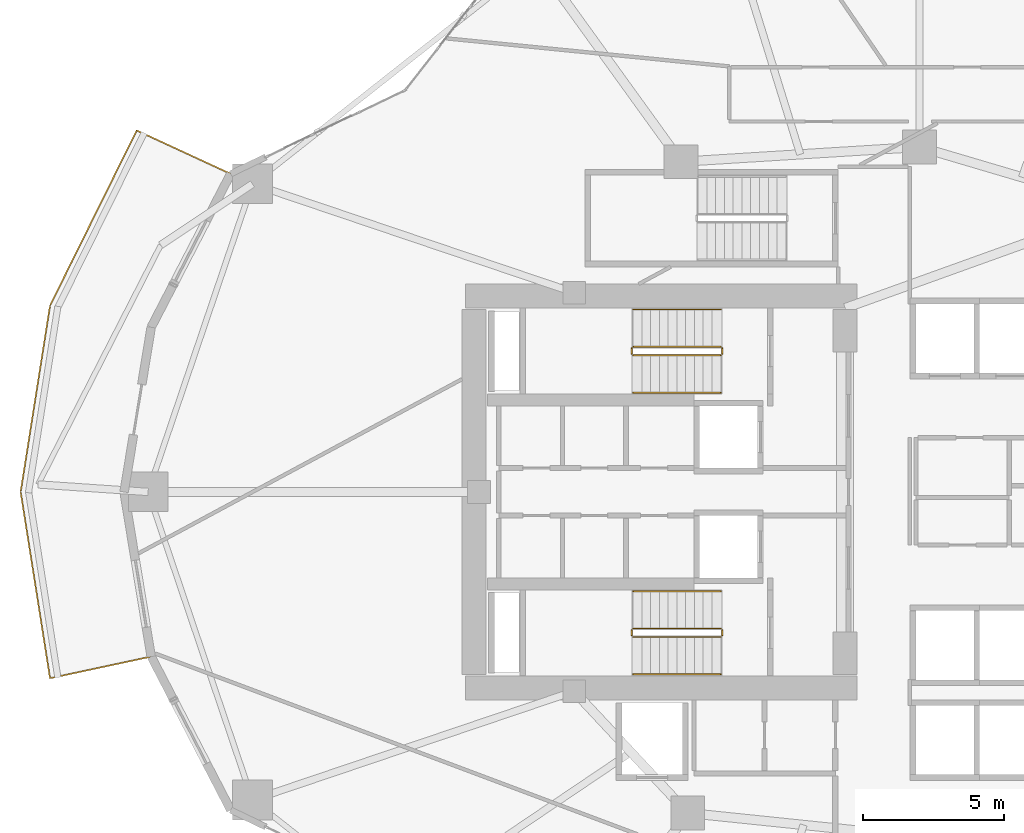
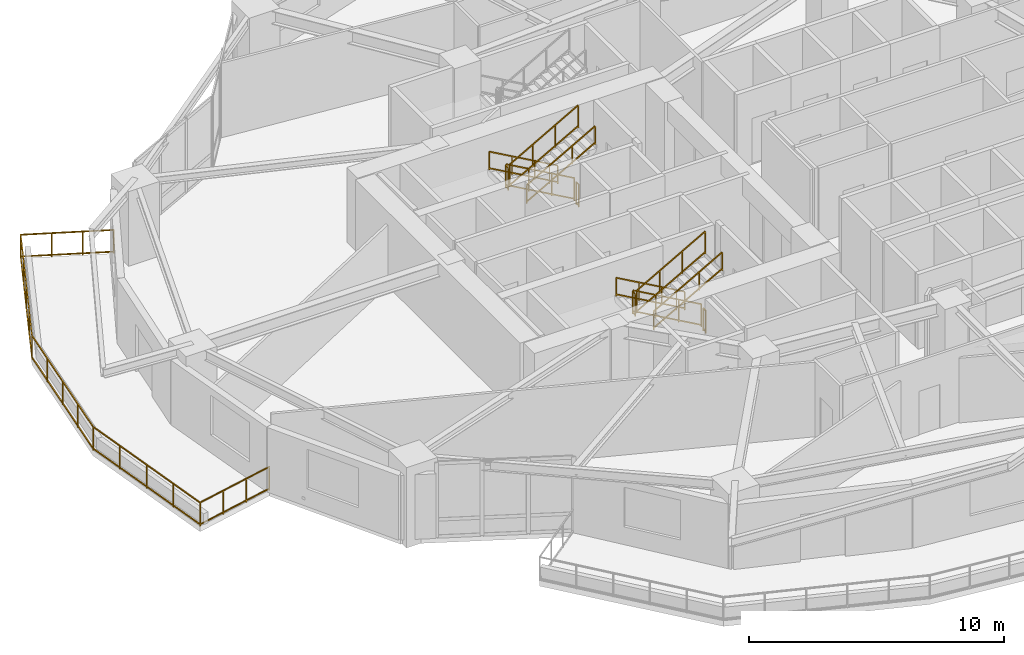
# One storey, part 16 of 19: 13 railings.
"""IFC4 building model written with IfcOpenShell, lengths in metres."""

from ifc_helpers import new_model, si_unit, direction, frame, origin, origin_2d, place, context, subcontext, project, spatial, rectangle, extrude, material, type_object, element, save


model = new_model("IFC4")

# Units and contexts
model_context = context("Model", 3, precision=1e-05, world=origin(), true_north=direction((0.0, 1.0)))
body_context = subcontext(model_context, "Body", "Model", "MODEL_VIEW")
ifc_project = project(units=[si_unit("LENGTHUNIT", "METRE"), si_unit("AREAUNIT", "SQUARE_METRE"), si_unit("VOLUMEUNIT", "CUBIC_METRE"), si_unit("PLANEANGLEUNIT", "RADIAN"), si_unit("MASSUNIT", "GRAM", prefix="KILO")], contexts=[model_context])

# Site, building, storey
site_placement = place(None, origin())
site = spatial("IfcSite", under=ifc_project, at=site_placement, CompositionType="ELEMENT")
building_placement = place(site_placement, origin())
building = spatial("IfcBuilding", under=site, at=building_placement, Name="Kolvaren Gate Tower and Convention Centre", CompositionType="ELEMENT")
storey_placement = place(building_placement, frame((0.0, 0.0, 38.050048828125)))
storey = spatial("IfcBuildingStorey", under=building, at=storey_placement, Name="L08", CompositionType="ELEMENT", Elevation=38.050048828125)

# Railings
ifc_material = material(Name="Brushed Stainless Steel Grade 316L", Category="steel")
railing_type_1 = type_object("IfcRailingType", Name="ARCH-RL-GUARD-1150", PredefinedType="GUARDRAIL", material=ifc_material)
railing_1_placement = place(storey_placement, frame((23.10009765625, 32.1298828125, 0.175048828125)))
element("IfcRailing", 1, at=railing_1_placement, inside=storey, type_object=railing_type_1, Name="L08 ST-T1 stair guard 1", PredefinedType="GUARDRAIL", context=body_context, shape_type="SweptSolid", body=[
    extrude(rectangle(XDim=0.048095703125, YDim=0.048095703125, at=origin_2d()), frame((0.0, 0.0, 1.076171875), z_axis=(-0.870830938388, 0.0, 0.491582624537), x_axis=(0.0, -1.0, 0.0)), (0.0, 0.0, 1.0), 3.559814453125),
    extrude(rectangle(XDim=0.048095703125, YDim=0.048095703125, at=origin_2d()), frame((0.0, 0.0, 0.083984375), z_axis=(-0.870830938388, 0.0, 0.491582624537), x_axis=(0.0, -1.0, 0.0)), (0.0, 0.0, 1.0), 3.559814453125),
    extrude(rectangle(XDim=0.0419921875, YDim=0.0419921875, at=origin_2d()), origin(), (0.0, 0.0, 1.0), 1.050048828125),
    extrude(rectangle(XDim=0.0419921875, YDim=0.0419921875, at=origin_2d()), frame((-3.10009765625, 0.0, 1.75)), (0.0, 0.0, 1.0), 1.050048828125),
    extrude(rectangle(XDim=0.0419921875, YDim=0.0419921875, at=origin_2d()), frame((-1.033447265625, 0.0, 0.583251953125)), (0.0, 0.0, 1.0), 1.050048828125),
    extrude(rectangle(XDim=0.0419921875, YDim=0.0419921875, at=origin_2d()), frame((-2.066650390625, 0.0, 1.166748046875)), (0.0, 0.0, 1.0), 1.050048828125),
])
railing_2_placement = place(storey_placement, frame((19.949951171875, 32.080078125, 1.925048828125)))
element("IfcRailing", 2, at=railing_2_placement, inside=storey, type_object=railing_type_1, Name="L08 ST-T1 stair guard 2", PredefinedType="GUARDRAIL", context=body_context, shape_type="SweptSolid", body=[
    extrude(rectangle(XDim=0.048095703125, YDim=0.048095703125, at=origin_2d()), frame((0.0, 0.0, 1.076171875), z_axis=(0.0, -1.0, 0.0), x_axis=(1.0, 0.0, 0.0)), (0.0, 0.0, 1.0), 0.2001953125),
    extrude(rectangle(XDim=0.048095703125, YDim=0.048095703125, at=origin_2d()), frame((0.0, 0.0, 0.083984375), z_axis=(0.0, -1.0, 0.0), x_axis=(1.0, 0.0, 0.0)), (0.0, 0.0, 1.0), 0.2001953125),
    extrude(rectangle(XDim=0.0419921875, YDim=0.0419921875, at=origin_2d()), origin(), (0.0, 0.0, 1.0), 1.050048828125),
    extrude(rectangle(XDim=0.0419921875, YDim=0.0419921875, at=origin_2d()), frame((0.0, -0.2001953125, 0.0)), (0.0, 0.0, 1.0), 1.050048828125),
])
railing_3_placement = place(storey_placement, frame((20.0, 31.830078125, 2.099853515625)))
element("IfcRailing", 3, at=railing_3_placement, inside=storey, type_object=railing_type_1, Name="L08 ST-T1 stair guard 3", PredefinedType="GUARDRAIL", context=body_context, shape_type="SweptSolid", body=[
    extrude(rectangle(XDim=0.048095703125, YDim=0.048095703125, at=origin_2d()), frame((0.0, 0.0, 1.076171875), z_axis=(0.870830938388, 0.0, 0.491582624537), x_axis=(0.0, 1.0, 0.0)), (0.0, 0.0, 1.0), 3.559814453125),
    extrude(rectangle(XDim=0.048095703125, YDim=0.048095703125, at=origin_2d()), frame((0.0, 0.0, 0.083984375), z_axis=(0.870830938388, 0.0, 0.491582624537), x_axis=(0.0, 1.0, 0.0)), (0.0, 0.0, 1.0), 3.559814453125),
    extrude(rectangle(XDim=0.0419921875, YDim=0.0419921875, at=origin_2d()), origin(), (0.0, 0.0, 1.0), 1.050048828125),
    extrude(rectangle(XDim=0.0419921875, YDim=0.0419921875, at=origin_2d()), frame((3.10009765625, 0.0, 1.75)), (0.0, 0.0, 1.0), 1.050048828125),
    extrude(rectangle(XDim=0.0419921875, YDim=0.0419921875, at=origin_2d()), frame((1.033447265625, 0.0, 0.583251953125)), (0.0, 0.0, 1.0), 1.050048828125),
    extrude(rectangle(XDim=0.0419921875, YDim=0.0419921875, at=origin_2d()), frame((2.066650390625, 0.0, 1.166748046875)), (0.0, 0.0, 1.0), 1.050048828125),
])
railing_4_placement = place(storey_placement, frame((23.14990234375, 32.080078125, 0.0)))
element("IfcRailing", 4, at=railing_4_placement, inside=storey, type_object=railing_type_1, Name="L08 ST-T1 stair guard 4", PredefinedType="GUARDRAIL", context=body_context, shape_type="SweptSolid", body=[
    extrude(rectangle(XDim=0.048095703125, YDim=0.048095703125, at=origin_2d()), frame((0.0, 0.0, 1.076171875), z_axis=(0.0, -1.0, 0.0), x_axis=(1.0, 0.0, 0.0)), (0.0, 0.0, 1.0), 0.2001953125),
    extrude(rectangle(XDim=0.048095703125, YDim=0.048095703125, at=origin_2d()), frame((0.0, 0.0, 0.083984375), z_axis=(0.0, -1.0, 0.0), x_axis=(1.0, 0.0, 0.0)), (0.0, 0.0, 1.0), 0.2001953125),
    extrude(rectangle(XDim=0.0419921875, YDim=0.0419921875, at=origin_2d()), origin(), (0.0, 0.0, 1.0), 1.050048828125),
    extrude(rectangle(XDim=0.0419921875, YDim=0.0419921875, at=origin_2d()), frame((0.0, -0.2001953125, 0.0)), (0.0, 0.0, 1.0), 1.050048828125),
])
railing_5_placement = place(storey_placement, frame((23.10009765625, 22.169921875, 0.175048828125)))
element("IfcRailing", 5, at=railing_5_placement, inside=storey, type_object=railing_type_1, Name="L08 ST-T2 stair guard 1", PredefinedType="GUARDRAIL", context=body_context, shape_type="SweptSolid", body=[
    extrude(rectangle(XDim=0.048095703125, YDim=0.048095703125, at=origin_2d()), frame((0.0, 0.0, 1.076171875), z_axis=(-0.870830938388, 0.0, 0.491582624537), x_axis=(0.0, -1.0, 0.0)), (0.0, 0.0, 1.0), 3.559814453125),
    extrude(rectangle(XDim=0.048095703125, YDim=0.048095703125, at=origin_2d()), frame((0.0, 0.0, 0.083984375), z_axis=(-0.870830938388, 0.0, 0.491582624537), x_axis=(0.0, -1.0, 0.0)), (0.0, 0.0, 1.0), 3.559814453125),
    extrude(rectangle(XDim=0.0419921875, YDim=0.0419921875, at=origin_2d()), origin(), (0.0, 0.0, 1.0), 1.050048828125),
    extrude(rectangle(XDim=0.0419921875, YDim=0.0419921875, at=origin_2d()), frame((-3.10009765625, 0.0, 1.75)), (0.0, 0.0, 1.0), 1.050048828125),
    extrude(rectangle(XDim=0.0419921875, YDim=0.0419921875, at=origin_2d()), frame((-1.033447265625, 0.0, 0.583251953125)), (0.0, 0.0, 1.0), 1.050048828125),
    extrude(rectangle(XDim=0.0419921875, YDim=0.0419921875, at=origin_2d()), frame((-2.066650390625, 0.0, 1.166748046875)), (0.0, 0.0, 1.0), 1.050048828125),
])
railing_6_placement = place(storey_placement, frame((19.949951171875, 22.1201171875, 1.925048828125)))
element("IfcRailing", 6, at=railing_6_placement, inside=storey, type_object=railing_type_1, Name="L08 ST-T2 stair guard 2", PredefinedType="GUARDRAIL", context=body_context, shape_type="SweptSolid", body=[
    extrude(rectangle(XDim=0.048095703125, YDim=0.048095703125, at=origin_2d()), frame((0.0, 0.0, 1.076171875), z_axis=(0.0, -1.0, 0.0), x_axis=(1.0, 0.0, 0.0)), (0.0, 0.0, 1.0), 0.2001953125),
    extrude(rectangle(XDim=0.048095703125, YDim=0.048095703125, at=origin_2d()), frame((0.0, 0.0, 0.083984375), z_axis=(0.0, -1.0, 0.0), x_axis=(1.0, 0.0, 0.0)), (0.0, 0.0, 1.0), 0.2001953125),
    extrude(rectangle(XDim=0.0419921875, YDim=0.0419921875, at=origin_2d()), origin(), (0.0, 0.0, 1.0), 1.050048828125),
    extrude(rectangle(XDim=0.0419921875, YDim=0.0419921875, at=origin_2d()), frame((0.0, -0.2001953125, 0.0)), (0.0, 0.0, 1.0), 1.050048828125),
])
railing_7_placement = place(storey_placement, frame((20.0, 21.8701171875, 2.099853515625)))
element("IfcRailing", 7, at=railing_7_placement, inside=storey, type_object=railing_type_1, Name="L08 ST-T2 stair guard 3", PredefinedType="GUARDRAIL", context=body_context, shape_type="SweptSolid", body=[
    extrude(rectangle(XDim=0.048095703125, YDim=0.048095703125, at=origin_2d()), frame((0.0, 0.0, 1.076171875), z_axis=(0.870830938388, 0.0, 0.491582624537), x_axis=(0.0, 1.0, 0.0)), (0.0, 0.0, 1.0), 3.559814453125),
    extrude(rectangle(XDim=0.048095703125, YDim=0.048095703125, at=origin_2d()), frame((0.0, 0.0, 0.083984375), z_axis=(0.870830938388, 0.0, 0.491582624537), x_axis=(0.0, 1.0, 0.0)), (0.0, 0.0, 1.0), 3.559814453125),
    extrude(rectangle(XDim=0.0419921875, YDim=0.0419921875, at=origin_2d()), origin(), (0.0, 0.0, 1.0), 1.050048828125),
    extrude(rectangle(XDim=0.0419921875, YDim=0.0419921875, at=origin_2d()), frame((3.10009765625, 0.0, 1.75)), (0.0, 0.0, 1.0), 1.050048828125),
    extrude(rectangle(XDim=0.0419921875, YDim=0.0419921875, at=origin_2d()), frame((1.033447265625, 0.0, 0.583251953125)), (0.0, 0.0, 1.0), 1.050048828125),
    extrude(rectangle(XDim=0.0419921875, YDim=0.0419921875, at=origin_2d()), frame((2.066650390625, 0.0, 1.166748046875)), (0.0, 0.0, 1.0), 1.050048828125),
])
railing_8_placement = place(storey_placement, frame((23.14990234375, 22.1201171875, 0.0)))
element("IfcRailing", 8, at=railing_8_placement, inside=storey, type_object=railing_type_1, Name="L08 ST-T2 stair guard 4", PredefinedType="GUARDRAIL", context=body_context, shape_type="SweptSolid", body=[
    extrude(rectangle(XDim=0.048095703125, YDim=0.048095703125, at=origin_2d()), frame((0.0, 0.0, 1.076171875), z_axis=(0.0, -1.0, 0.0), x_axis=(1.0, 0.0, 0.0)), (0.0, 0.0, 1.0), 0.2001953125),
    extrude(rectangle(XDim=0.048095703125, YDim=0.048095703125, at=origin_2d()), frame((0.0, 0.0, 0.083984375), z_axis=(0.0, -1.0, 0.0), x_axis=(1.0, 0.0, 0.0)), (0.0, 0.0, 1.0), 0.2001953125),
    extrude(rectangle(XDim=0.0419921875, YDim=0.0419921875, at=origin_2d()), origin(), (0.0, 0.0, 1.0), 1.050048828125),
    extrude(rectangle(XDim=0.0419921875, YDim=0.0419921875, at=origin_2d()), frame((0.0, -0.2001953125, 0.0)), (0.0, 0.0, 1.0), 1.050048828125),
])
railing_9_placement = place(storey_placement, frame((5.76806640625, 38.25, 0.0)))
element("IfcRailing", 9, at=railing_9_placement, inside=storey, type_object=railing_type_1, Name="Tower L08 Terrace Perimeter Guardrail GR-2", PredefinedType="GUARDRAIL", context=body_context, shape_type="SweptSolid", body=[
    extrude(rectangle(XDim=0.048095703125, YDim=0.048095703125, at=origin_2d()), frame((-0.025390625, 0.01171875, 1.1259765625), z_axis=(-0.907846116663, 0.419303503993, 0.0), x_axis=(-0.419303503993, -0.907846116663, 0.0)), (0.0, 0.0, 1.0), 3.60400390625),
    extrude(rectangle(XDim=0.048095703125, YDim=0.048095703125, at=origin_2d()), frame((-0.025390625, 0.01171875, 0.083984375), z_axis=(-0.907846116663, 0.419303503993, 0.0), x_axis=(-0.419303503993, -0.907846116663, 0.0)), (0.0, 0.0, 1.0), 3.60400390625),
    extrude(rectangle(XDim=0.048095703125, YDim=0.048095703125, at=origin_2d()), frame((-3.335205078125, 1.509521484375, 1.1259765625), z_axis=(-0.443578479433, -0.8962355341, 0.0), x_axis=(0.8962355341, -0.443578479433, 0.0)), (0.0, 0.0, 1.0), 6.855224609375),
    extrude(rectangle(XDim=0.048095703125, YDim=0.048095703125, at=origin_2d()), frame((-3.335205078125, 1.509521484375, 0.083984375), z_axis=(-0.443578479433, -0.8962355341, 0.0), x_axis=(0.8962355341, -0.443578479433, 0.0)), (0.0, 0.0, 1.0), 6.855224609375),
    extrude(rectangle(XDim=0.048095703125, YDim=0.048095703125, at=origin_2d()), frame((-6.392822265625, -4.68701171875, 1.1259765625), z_axis=(-0.155806612617, -0.987787578108, 0.0), x_axis=(0.987787578108, -0.155806612617, 0.0)), (0.0, 0.0, 1.0), 6.615966796875),
    extrude(rectangle(XDim=0.048095703125, YDim=0.048095703125, at=origin_2d()), frame((-6.392822265625, -4.68701171875, 0.083984375), z_axis=(-0.155806612617, -0.987787578108, 0.0), x_axis=(0.987787578108, -0.155806612617, 0.0)), (0.0, 0.0, 1.0), 6.615966796875),
    extrude(rectangle(XDim=0.048095703125, YDim=0.048095703125, at=origin_2d()), frame((-7.423583984375, -11.277587890625, 1.1259765625), z_axis=(0.155806612617, -0.987787578108, 0.0), x_axis=(0.987787578108, 0.155806612617, 0.0)), (0.0, 0.0, 1.0), 6.615966796875),
    extrude(rectangle(XDim=0.048095703125, YDim=0.048095703125, at=origin_2d()), frame((-7.423583984375, -11.277587890625, 0.083984375), z_axis=(0.155806612617, -0.987787578108, 0.0), x_axis=(0.987787578108, 0.155806612617, 0.0)), (0.0, 0.0, 1.0), 6.615966796875),
    extrude(rectangle(XDim=0.048095703125, YDim=0.048095703125, at=origin_2d()), frame((-6.361083984375, -17.834716796875, 1.1259765625), z_axis=(0.977788745232, 0.209592866525, 0.0), x_axis=(-0.209592866525, 0.977788745232, 0.0)), (0.0, 0.0, 1.0), 3.603759765625),
    extrude(rectangle(XDim=0.048095703125, YDim=0.048095703125, at=origin_2d()), frame((-6.361083984375, -17.834716796875, 0.083984375), z_axis=(0.977788745232, 0.209592866525, 0.0), x_axis=(-0.209592866525, 0.977788745232, 0.0)), (0.0, 0.0, 1.0), 3.603759765625),
    extrude(rectangle(XDim=0.0419921875, YDim=0.0419921875, at=origin_2d()), origin(), (0.0, 0.0, 1.0), 1.14990234375),
    extrude(rectangle(XDim=0.0419921875, YDim=0.0419921875, at=origin_2d()), frame((-3.32275390625, 1.53466796875, 0.0)), (0.0, 0.0, 1.0), 1.14990234375),
    extrude(rectangle(XDim=0.0419921875, YDim=0.0419921875, at=origin_2d()), frame((-1.107666015625, 0.511474609375, 0.0)), (0.0, 0.0, 1.0), 1.099853515625),
    extrude(rectangle(XDim=0.0419921875, YDim=0.0419921875, at=origin_2d()), frame((-2.215087890625, 1.023193359375, 0.0)), (0.0, 0.0, 1.0), 1.099853515625),
    extrude(rectangle(XDim=0.0419921875, YDim=0.0419921875, at=origin_2d()), frame((-6.388427734375, -4.659423828125, 0.0)), (0.0, 0.0, 1.0), 1.14990234375),
    extrude(rectangle(XDim=0.0419921875, YDim=0.0419921875, at=origin_2d()), frame((-4.089111328125, -0.013916015625, 0.0)), (0.0, 0.0, 1.0), 1.099853515625),
    extrude(rectangle(XDim=0.0419921875, YDim=0.0419921875, at=origin_2d()), frame((-4.85546875, -1.5625, 0.0)), (0.0, 0.0, 1.0), 1.099853515625),
    extrude(rectangle(XDim=0.0419921875, YDim=0.0419921875, at=origin_2d()), frame((-5.6220703125, -3.11083984375, 0.0)), (0.0, 0.0, 1.0), 1.099853515625),
    extrude(rectangle(XDim=0.0419921875, YDim=0.0419921875, at=origin_2d()), frame((-7.427978515625, -11.25, 0.0)), (0.0, 0.0, 1.0), 1.14990234375),
    extrude(rectangle(XDim=0.0419921875, YDim=0.0419921875, at=origin_2d()), frame((-6.6484375, -6.30712890625, 0.0)), (0.0, 0.0, 1.0), 1.099853515625),
    extrude(rectangle(XDim=0.0419921875, YDim=0.0419921875, at=origin_2d()), frame((-6.908203125, -7.95458984375, 0.0)), (0.0, 0.0, 1.0), 1.099853515625),
    extrude(rectangle(XDim=0.0419921875, YDim=0.0419921875, at=origin_2d()), frame((-7.16796875, -9.602294921875, 0.0)), (0.0, 0.0, 1.0), 1.099853515625),
    extrude(rectangle(XDim=0.0419921875, YDim=0.0419921875, at=origin_2d()), frame((-6.388427734375, -17.840576171875, 0.0)), (0.0, 0.0, 1.0), 1.14990234375),
    extrude(rectangle(XDim=0.0419921875, YDim=0.0419921875, at=origin_2d()), frame((-7.16796875, -12.897705078125, 0.0)), (0.0, 0.0, 1.0), 1.099853515625),
    extrude(rectangle(XDim=0.0419921875, YDim=0.0419921875, at=origin_2d()), frame((-6.908203125, -14.54541015625, 0.0)), (0.0, 0.0, 1.0), 1.099853515625),
    extrude(rectangle(XDim=0.0419921875, YDim=0.0419921875, at=origin_2d()), frame((-6.6484375, -16.19287109375, 0.0)), (0.0, 0.0, 1.0), 1.099853515625),
    extrude(rectangle(XDim=0.0419921875, YDim=0.0419921875, at=origin_2d()), frame((-2.809814453125, -17.073486328125, 0.0)), (0.0, 0.0, 1.0), 1.14990234375),
    extrude(rectangle(XDim=0.0419921875, YDim=0.0419921875, at=origin_2d()), frame((-5.195556640625, -17.5849609375, 0.0)), (0.0, 0.0, 1.0), 1.099853515625),
    extrude(rectangle(XDim=0.0419921875, YDim=0.0419921875, at=origin_2d()), frame((-4.002685546875, -17.3291015625, 0.0)), (0.0, 0.0, 1.0), 1.099853515625),
])
railing_type_2 = type_object("IfcRailingType", Name="ARCH-RL-HANDRAIL-920", PredefinedType="HANDRAIL", material=ifc_material)
railing_10_placement = place(storey_placement, frame((23.10009765625, 33.449951171875, 0.175048828125)))
element("IfcRailing", 10, at=railing_10_placement, inside=storey, type_object=railing_type_2, Name="L08 ST-T1 stair handrail 1", PredefinedType="HANDRAIL", context=body_context, shape_type="SweptSolid", body=[
    extrude(rectangle(XDim=0.048095703125, YDim=0.048095703125, at=origin_2d()), frame((0.0, 0.0, 0.8759765625), z_axis=(-0.870830938388, 0.0, 0.491582624537), x_axis=(0.0, -1.0, 0.0)), (0.0, 0.0, 1.0), 3.559814453125),
    extrude(rectangle(XDim=0.048095703125, YDim=0.048095703125, at=origin_2d()), frame((0.0, 0.0, 0.083984375), z_axis=(-0.870830938388, 0.0, 0.491582624537), x_axis=(0.0, -1.0, 0.0)), (0.0, 0.0, 1.0), 3.559814453125),
    extrude(rectangle(XDim=0.0419921875, YDim=0.0419921875, at=origin_2d()), origin(), (0.0, 0.0, 1.0), 0.849853515625),
    extrude(rectangle(XDim=0.0419921875, YDim=0.0419921875, at=origin_2d()), frame((-3.10009765625, 0.0, 1.75)), (0.0, 0.0, 1.0), 0.849853515625),
    extrude(rectangle(XDim=0.0419921875, YDim=0.0419921875, at=origin_2d()), frame((-1.033447265625, 0.0, 0.583251953125)), (0.0, 0.0, 1.0), 0.849853515625),
    extrude(rectangle(XDim=0.0419921875, YDim=0.0419921875, at=origin_2d()), frame((-2.066650390625, 0.0, 1.166748046875)), (0.0, 0.0, 1.0), 0.849853515625),
])
railing_11_placement = place(storey_placement, frame((20.0, 30.510009765625, 2.099853515625)))
element("IfcRailing", 11, at=railing_11_placement, inside=storey, type_object=railing_type_2, Name="L08 ST-T1 stair handrail 2", PredefinedType="HANDRAIL", context=body_context, shape_type="SweptSolid", body=[
    extrude(rectangle(XDim=0.048095703125, YDim=0.048095703125, at=origin_2d()), frame((0.0, 0.0, 0.8759765625), z_axis=(0.870830938388, 0.0, 0.491582624537), x_axis=(0.0, 1.0, 0.0)), (0.0, 0.0, 1.0), 3.559814453125),
    extrude(rectangle(XDim=0.048095703125, YDim=0.048095703125, at=origin_2d()), frame((0.0, 0.0, 0.083984375), z_axis=(0.870830938388, 0.0, 0.491582624537), x_axis=(0.0, 1.0, 0.0)), (0.0, 0.0, 1.0), 3.559814453125),
    extrude(rectangle(XDim=0.0419921875, YDim=0.0419921875, at=origin_2d()), origin(), (0.0, 0.0, 1.0), 0.849853515625),
    extrude(rectangle(XDim=0.0419921875, YDim=0.0419921875, at=origin_2d()), frame((3.10009765625, 0.0, 1.75)), (0.0, 0.0, 1.0), 0.849853515625),
    extrude(rectangle(XDim=0.0419921875, YDim=0.0419921875, at=origin_2d()), frame((1.033447265625, 0.0, 0.583251953125)), (0.0, 0.0, 1.0), 0.849853515625),
    extrude(rectangle(XDim=0.0419921875, YDim=0.0419921875, at=origin_2d()), frame((2.066650390625, 0.0, 1.166748046875)), (0.0, 0.0, 1.0), 0.849853515625),
])
railing_12_placement = place(storey_placement, frame((23.10009765625, 23.489990234375, 0.175048828125)))
element("IfcRailing", 12, at=railing_12_placement, inside=storey, type_object=railing_type_2, Name="L08 ST-T2 stair handrail 1", PredefinedType="HANDRAIL", context=body_context, shape_type="SweptSolid", body=[
    extrude(rectangle(XDim=0.048095703125, YDim=0.048095703125, at=origin_2d()), frame((0.0, 0.0, 0.8759765625), z_axis=(-0.870830938388, 0.0, 0.491582624537), x_axis=(0.0, -1.0, 0.0)), (0.0, 0.0, 1.0), 3.559814453125),
    extrude(rectangle(XDim=0.048095703125, YDim=0.048095703125, at=origin_2d()), frame((0.0, 0.0, 0.083984375), z_axis=(-0.870830938388, 0.0, 0.491582624537), x_axis=(0.0, -1.0, 0.0)), (0.0, 0.0, 1.0), 3.559814453125),
    extrude(rectangle(XDim=0.0419921875, YDim=0.0419921875, at=origin_2d()), origin(), (0.0, 0.0, 1.0), 0.849853515625),
    extrude(rectangle(XDim=0.0419921875, YDim=0.0419921875, at=origin_2d()), frame((-3.10009765625, 0.0, 1.75)), (0.0, 0.0, 1.0), 0.849853515625),
    extrude(rectangle(XDim=0.0419921875, YDim=0.0419921875, at=origin_2d()), frame((-1.033447265625, 0.0, 0.583251953125)), (0.0, 0.0, 1.0), 0.849853515625),
    extrude(rectangle(XDim=0.0419921875, YDim=0.0419921875, at=origin_2d()), frame((-2.066650390625, 0.0, 1.166748046875)), (0.0, 0.0, 1.0), 0.849853515625),
])
railing_13_placement = place(storey_placement, frame((20.0, 20.550048828125, 2.099853515625)))
element("IfcRailing", 13, at=railing_13_placement, inside=storey, type_object=railing_type_2, Name="L08 ST-T2 stair handrail 2", PredefinedType="HANDRAIL", context=body_context, shape_type="SweptSolid", body=[
    extrude(rectangle(XDim=0.048095703125, YDim=0.048095703125, at=origin_2d()), frame((0.0, 0.0, 0.8759765625), z_axis=(0.870830938388, 0.0, 0.491582624537), x_axis=(0.0, 1.0, 0.0)), (0.0, 0.0, 1.0), 3.559814453125),
    extrude(rectangle(XDim=0.048095703125, YDim=0.048095703125, at=origin_2d()), frame((0.0, 0.0, 0.083984375), z_axis=(0.870830938388, 0.0, 0.491582624537), x_axis=(0.0, 1.0, 0.0)), (0.0, 0.0, 1.0), 3.559814453125),
    extrude(rectangle(XDim=0.0419921875, YDim=0.0419921875, at=origin_2d()), origin(), (0.0, 0.0, 1.0), 0.849853515625),
    extrude(rectangle(XDim=0.0419921875, YDim=0.0419921875, at=origin_2d()), frame((3.10009765625, 0.0, 1.75)), (0.0, 0.0, 1.0), 0.849853515625),
    extrude(rectangle(XDim=0.0419921875, YDim=0.0419921875, at=origin_2d()), frame((1.033447265625, 0.0, 0.583251953125)), (0.0, 0.0, 1.0), 0.849853515625),
    extrude(rectangle(XDim=0.0419921875, YDim=0.0419921875, at=origin_2d()), frame((2.066650390625, 0.0, 1.166748046875)), (0.0, 0.0, 1.0), 0.849853515625),
])

save(model, "model.ifc")
